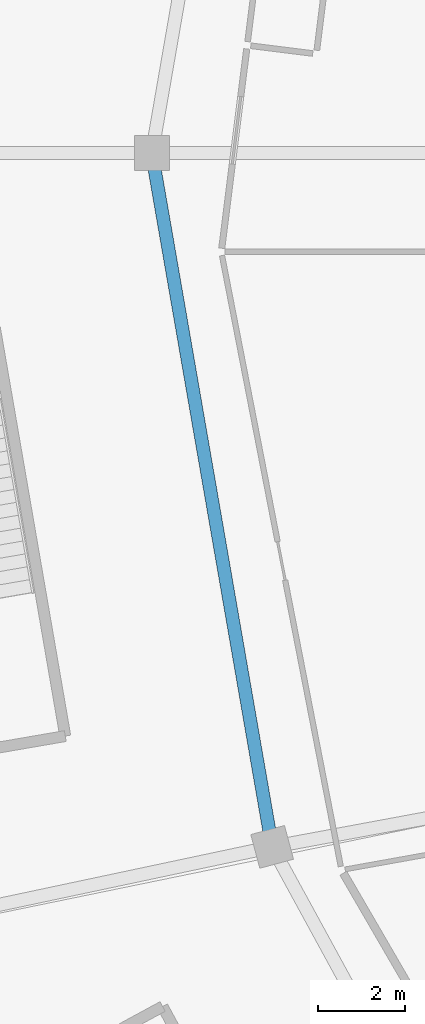
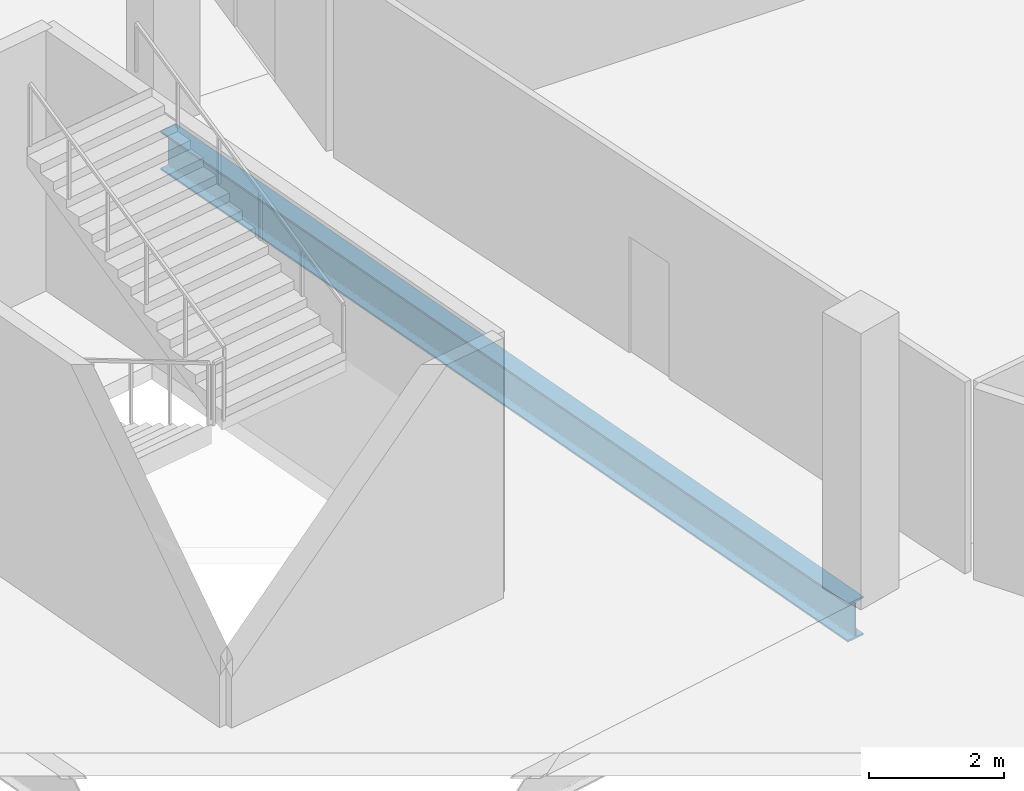
# One storey, part 40 of 179: 1 beam.
"""IFC4 building model written with IfcOpenShell, lengths in metres."""

import ifcopenshell
import ifcopenshell.guid

model = None  # the IFC model being written
_history = None  # IfcOwnerHistory: only IFC2X3 demands one
_inside = {}  # id of a spatial element -> (the spatial element, [elements in it])
_under = {}  # id of a project, library or spatial element -> (it, [spatial elements below it])
_declared = {}  # id of a project -> (the project, [libraries it declares])
_typed = {}  # id of a type object -> (the type object, [elements of that type])
_made_of = {}  # id of a material, layer set ... -> (it, [elements and type objects made of it])


def new_model(schema):
    """Start an empty IFC model of exactly this schema.

    Asked for "IFC4X3", IfcOpenShell would pick the latest addendum, in which some entities
    have other attributes; the version numbers below select the first issue.
    IFC2X3 requires an IfcOwnerHistory on every rooted entity: one is made here for all.
    """
    global model, _history
    if schema == "IFC4X3":
        model = ifcopenshell.file(schema_version=(4, 3, 0, 0))
    else:
        model = ifcopenshell.file(schema=schema)
    _inside.clear()
    _under.clear()
    _declared.clear()
    _typed.clear()
    _made_of.clear()
    _history = None
    if model.schema == "IFC2X3":
        org = make("IfcOrganization", Name="unknown")
        user = make(
            "IfcPersonAndOrganization",
            ThePerson=make("IfcPerson", FamilyName="unknown"),
            TheOrganization=org,
        )
        app = make(
            "IfcApplication",
            ApplicationDeveloper=org,
            Version="unknown",
            ApplicationFullName="unknown",
            ApplicationIdentifier="unknown",
        )
        _history = make(
            "IfcOwnerHistory",
            OwningUser=user,
            OwningApplication=app,
            ChangeAction="ADDED",
            CreationDate=0,
        )
    return model


def make(cls, **values):
    """One entity of the class cls with the attributes given. An attribute that is None is left unset."""
    return model.create_entity(
        cls, **{name: value for name, value in values.items() if value is not None}
    )


def rooted(cls, **values):
    """An entity with a GlobalId (a new one), such as an element, a storey or a relation."""
    return make(cls, GlobalId=ifcopenshell.guid.new(), OwnerHistory=_history, **values)


def si_unit(unit_type, name, prefix=None):
    """IfcSIUnit, for example si_unit("LENGTHUNIT", "METRE", prefix="MILLI")."""
    return make("IfcSIUnit", UnitType=unit_type, Prefix=prefix, Name=name)


def assignment(units):
    """IfcUnitAssignment: the units of a project."""
    return None if units is None else make("IfcUnitAssignment", Units=units)


def point(xyz):
    """IfcCartesianPoint."""
    return None if xyz is None else make("IfcCartesianPoint", Coordinates=xyz)


def direction(xyz):
    """IfcDirection."""
    return None if xyz is None else make("IfcDirection", DirectionRatios=xyz)


def frame(location, z_axis=None, x_axis=None):
    """IfcAxis2Placement3D, a coordinate frame: its origin and axes. An axis left out is left unset."""
    return make(
        "IfcAxis2Placement3D",
        Location=point(location),
        Axis=direction(z_axis),
        RefDirection=direction(x_axis),
    )


def frame_2d(location, x_axis=None):
    """IfcAxis2Placement2D, a coordinate frame in the plane: its origin and x axis."""
    return make(
        "IfcAxis2Placement2D", Location=point(location), RefDirection=direction(x_axis)
    )


def origin():
    """The frame at (0, 0, 0) with its axes left unset."""
    return frame((0.0, 0.0, 0.0))


def origin_2d():
    """The frame at (0, 0) in the plane with its x axis left unset."""
    return frame_2d((0.0, 0.0))


def place(relative_to, where):
    """IfcLocalPlacement: puts the frame where relative to a parent placement (None: the world)."""
    return make(
        "IfcLocalPlacement", PlacementRelTo=relative_to, RelativePlacement=where
    )


def context(
    kind, dimensions, precision=None, world=None, true_north=None, identifier=None
):
    """IfcGeometricRepresentationContext, for example the 3D "Model" context."""
    return make(
        "IfcGeometricRepresentationContext",
        ContextIdentifier=identifier,
        ContextType=kind,
        CoordinateSpaceDimension=dimensions,
        Precision=precision,
        WorldCoordinateSystem=world,
        TrueNorth=true_north,
    )


def subcontext(parent, identifier, kind, view, scale=None):
    """IfcGeometricRepresentationSubContext, for example "Body" below "Model"."""
    return make(
        "IfcGeometricRepresentationSubContext",
        ContextIdentifier=identifier,
        ContextType=kind,
        ParentContext=parent,
        TargetScale=scale,
        TargetView=view,
    )


def project(units=None, contexts=None):
    """IfcProject with its units and contexts."""
    return rooted(
        "IfcProject",
        Name="project",
        RepresentationContexts=contexts,
        UnitsInContext=assignment(units),
    )


def spatial(cls, under=None, at=None, **own):
    """A site, building, storey or space (cls), placed at a placement, below another one or the project."""
    s = rooted(cls, ObjectPlacement=at, **own)
    if under is not None:
        _under.setdefault(under.id(), (under, []))[1].append(s)
    return s


def profile(cls, at=None, kind="AREA", **sizes):
    """A parametric profile (cls). Its sizes go by their IFC names, for example OverallWidth=200.0."""
    return make(cls, ProfileType=kind, Position=at, **sizes)


def i_section(**sizes):
    """IfcIShapeProfileDef."""
    return profile("IfcIShapeProfileDef", **sizes)


def extrude(swept, where, along, depth):
    """IfcExtrudedAreaSolid: the profile swept, set in the frame where, extruded along a direction by depth."""
    return make(
        "IfcExtrudedAreaSolid",
        SweptArea=swept,
        Position=where,
        ExtrudedDirection=direction(along),
        Depth=depth,
    )


def shape(context_of_items, identifier, shape_type, items):
    """IfcShapeRepresentation: the items that make up one representation, for example the "Body"."""
    return make(
        "IfcShapeRepresentation",
        ContextOfItems=context_of_items,
        RepresentationIdentifier=identifier,
        RepresentationType=shape_type,
        Items=items,
    )


def material(Name=None, Category=None):
    """IfcMaterial."""
    return make("IfcMaterial", Name=Name, Category=Category)


def material_profile(
    of_material, cross_section, Name=None, Category=None, Priority=None
):
    """IfcMaterialProfile: a cross section and its material."""
    return make(
        "IfcMaterialProfile",
        Name=Name,
        Material=of_material,
        Profile=cross_section,
        Priority=Priority,
        Category=Category,
    )


def profile_set(profiles, Name=None, composite=None):
    """IfcMaterialProfileSet."""
    return make(
        "IfcMaterialProfileSet",
        Name=Name,
        MaterialProfiles=profiles,
        CompositeProfile=composite,
    )


def made_of(thing, what):
    """Note that an element or type object is made of a material, layer set ...; save() writes the relation."""
    if what is not None:
        _made_of.setdefault(what.id(), (what, []))[1].append(thing)
    return thing


def type_object(cls, material=None, **own):
    """A type object (cls), such as IfcWallType, which elements share."""
    return made_of(rooted(cls, **own), material)


def element(
    cls,
    number,
    at=None,
    inside=None,
    cuts=None,
    type_object=None,
    material=None,
    context=None,
    identifier="Body",
    shape_type=None,
    held_by="IfcProductDefinitionShape",
    body=None,
    shapes=None,
    **own,
):
    """One element of the class cls, such as IfcWall. Its Tag is "e" and its number.

    at: its placement. inside: the storey or other place that contains it. cuts: it is an
    opening in that element (IfcRelVoidsElement). A single representation is given by context,
    identifier, shape_type and body (its items); several are given by shapes. held_by: the class
    of the entity that holds the representations. save() writes the other relations.
    """
    e = rooted(cls, Tag="e%d" % number, ObjectPlacement=at, **own)
    if body is not None:
        shapes = [shape(context, identifier, shape_type, body)]
    if shapes is not None:
        e.Representation = make(held_by, Representations=shapes)
    if inside is not None:
        _inside.setdefault(inside.id(), (inside, []))[1].append(e)
    if cuts is not None:
        rooted(
            "IfcRelVoidsElement", RelatingBuildingElement=cuts, RelatedOpeningElement=e
        )
    if type_object is not None:
        _typed.setdefault(type_object.id(), (type_object, []))[1].append(e)
    return made_of(e, material)


def aggregate(whole, parts):
    """IfcRelAggregates: a whole, such as a stair, and the parts it consists of."""
    return rooted("IfcRelAggregates", RelatingObject=whole, RelatedObjects=parts)


def save(model, path):
    """Write the relations noted so far, then the file.

    IfcRelAggregates (storeys below a building ...), IfcRelContainedInSpatialStructure (elements
    in a storey), IfcRelDefinesByType, IfcRelAssociatesMaterial and IfcRelDeclares: one each for
    every whole, place, type object, material and project.
    """
    for whole, parts in _under.values():
        aggregate(whole, parts)
    for where, things in _inside.values():
        rooted(
            "IfcRelContainedInSpatialStructure",
            RelatedElements=things,
            RelatingStructure=where,
        )
    for kind, things in _typed.values():
        rooted("IfcRelDefinesByType", RelatedObjects=things, RelatingType=kind)
    for what, things in _made_of.values():
        rooted("IfcRelAssociatesMaterial", RelatedObjects=things, RelatingMaterial=what)
    for by, libraries in _declared.values():
        rooted("IfcRelDeclares", RelatingContext=by, RelatedDefinitions=libraries)
    model.write(path)


model = new_model("IFC4")

# Units and contexts
model_context = context("Model", 3, precision=1e-05, world=origin(), true_north=direction((0.0, 1.0)))
body_context = subcontext(model_context, "Body", "Model", "MODEL_VIEW")
ifc_project = project(units=[si_unit("LENGTHUNIT", "METRE"), si_unit("AREAUNIT", "SQUARE_METRE"), si_unit("VOLUMEUNIT", "CUBIC_METRE"), si_unit("PLANEANGLEUNIT", "RADIAN"), si_unit("MASSUNIT", "GRAM", prefix="KILO")], contexts=[model_context])

# Site, building, storey
site_placement = place(None, origin())
site = spatial("IfcSite", under=ifc_project, at=site_placement, CompositionType="ELEMENT")
building_placement = place(site_placement, origin())
building = spatial("IfcBuilding", under=site, at=building_placement, Name="Zlatoyarsky Gate Stadium", CompositionType="ELEMENT")
storey_placement = place(building_placement, frame((0.0, 0.0, 10.60009765625)))
storey = spatial("IfcBuildingStorey", under=building, at=storey_placement, Name="L02", CompositionType="ELEMENT", Elevation=10.60009765625)

# Beam
ifc_material = material(Name="Steel S355", Category="steel")
ifc_material_profile = material_profile(ifc_material, i_section(OverallWidth=0.300048828125, OverallDepth=0.699951171875, WebThickness=0.01708984375, FlangeThickness=0.031982421875, FilletRadius=0.027099609375, at=origin_2d()), Name="HEB 700")
ifc_profile_set = profile_set([ifc_material_profile], Name="Steel S355")
beam_type = type_object("IfcBeamType", Name="STEEL PRIMARY GIRDER HEB 700", PredefinedType="BEAM", material=ifc_profile_set)
beam_placement = place(storey_placement, frame((30.0205078125, 79.8818359375, -0.630126953125), z_axis=(0.170843315562, -0.985298209441, 0.0), x_axis=(0.985298209441, 0.170843315562, 0.0)))
element("IfcBeam", 1, at=beam_placement, inside=storey, type_object=beam_type, Name="Beam G-HEB700 BM-L02-CRB-12", PredefinedType="BEAM", context=body_context, shape_type="SweptSolid", body=[
    extrude(i_section(OverallWidth=0.300048828125, OverallDepth=0.699951171875, WebThickness=0.01708984375, FlangeThickness=0.031982421875, FilletRadius=0.027099609375, at=origin_2d()), origin(), (0.0, 0.0, 1.0), 15.9150390625),
])

save(model, "model.ifc")
